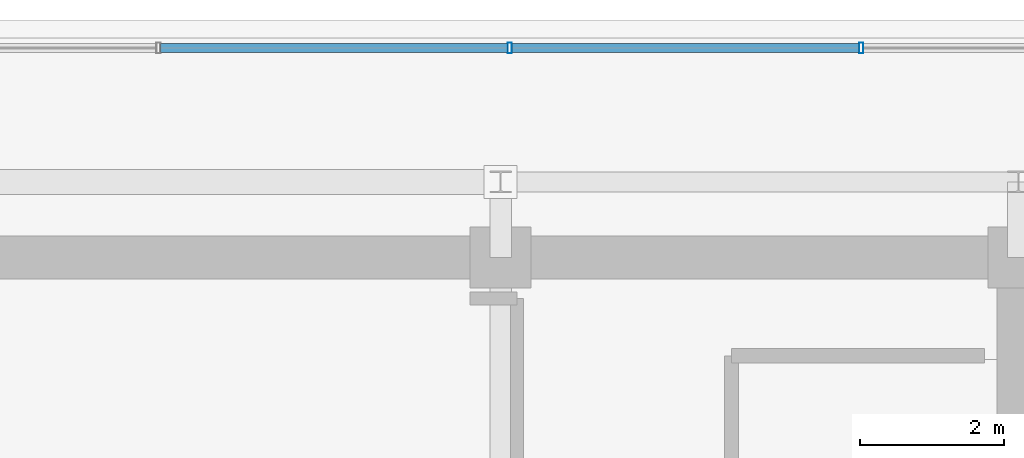
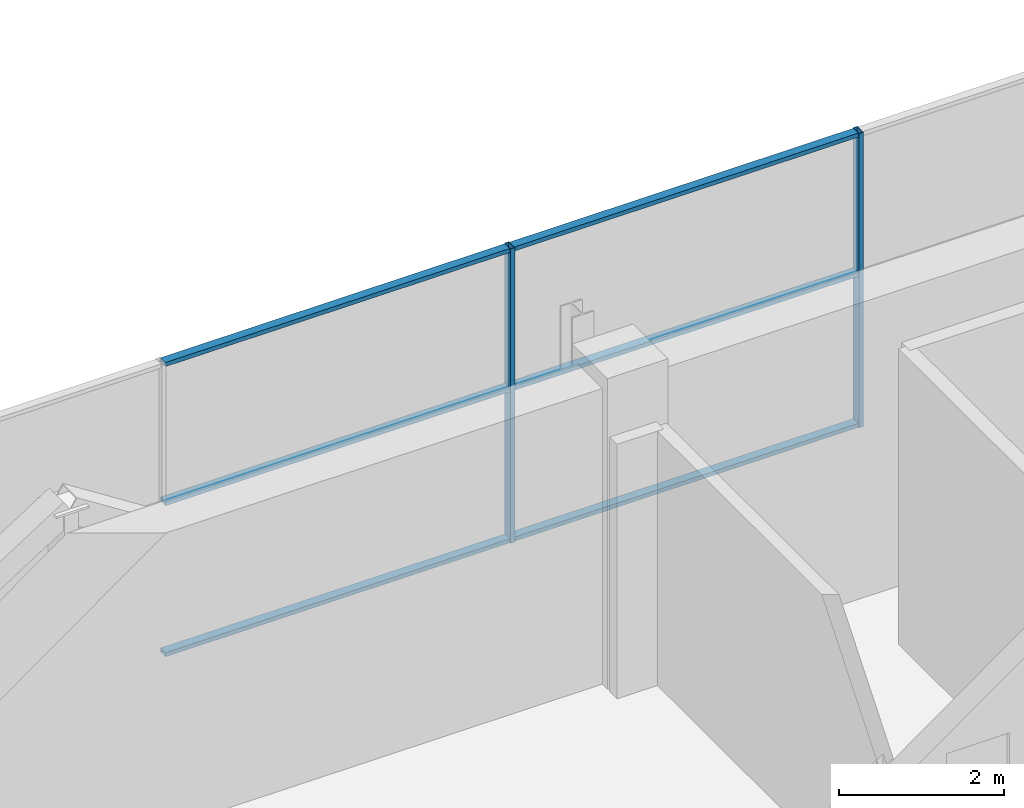
# One storey, part 21 of 28: 8 members, 1 element without a shape of its own.
"""IFC4 building model written with IfcOpenShell, lengths in metres."""

from ifc_helpers import new_model, si_unit, direction, frame, origin, origin_2d, place, context, subcontext, project, spatial, hollow_rectangle, extrude, source, transform, mapped, material, layer, layer_set, material_profile, profile_set, type_object, element, aggregate, save


model = new_model("IFC4")

# Units and contexts
model_context = context("Model", 3, precision=1e-05, world=origin(), true_north=direction((0.0, 1.0)))
body_context = subcontext(model_context, "Body", "Model", "MODEL_VIEW")
ifc_project = project(units=[si_unit("LENGTHUNIT", "METRE"), si_unit("AREAUNIT", "SQUARE_METRE"), si_unit("VOLUMEUNIT", "CUBIC_METRE"), si_unit("PLANEANGLEUNIT", "RADIAN"), si_unit("MASSUNIT", "GRAM", prefix="KILO")], contexts=[model_context])

# Site, building, storey
site_placement = place(None, origin())
site = spatial("IfcSite", under=ifc_project, at=site_placement, CompositionType="ELEMENT")
building_placement = place(site_placement, origin())
building = spatial("IfcBuilding", under=site, at=building_placement, Name="Zarnakvel Exchange Tower", CompositionType="ELEMENT")
storey_placement = place(building_placement, frame((0.0, 0.0, 276.199951171875)))
storey = spatial("IfcBuildingStorey", under=building, at=storey_placement, Name="Crown L78", CompositionType="ELEMENT", Elevation=276.199951171875)

# Curtain wall, members
ifc_material = material(Name="Architectural Bronze Anodised Aluminium", Category="aluminium")
ifc_layer = layer(ifc_material, 0.14990234375)
ifc_layer_set = layer_set([ifc_layer], Name="Architectural Bronze Anodised Aluminium")
curtain_wall_type = type_object("IfcCurtainWallType", Name="CW-07", PredefinedType="NOTDEFINED", material=ifc_layer_set)
curtain_wall_placement = place(storey_placement, origin())
curtain_wall = element("IfcCurtainWall", 1, at=curtain_wall_placement, inside=storey, type_object=curtain_wall_type, Name="Crown L78 Curtain Wall CW-Crown L78-N (CW-07)", PredefinedType="NOTDEFINED")
ifc_material_profile_1 = material_profile(ifc_material, hollow_rectangle(XDim=0.14990234375, YDim=0.06005859375, WallThickness=0.00390625, at=origin_2d()))
ifc_profile_set_1 = profile_set([ifc_material_profile_1], Name="Architectural Bronze Anodised Aluminium")
member_type_1 = type_object("IfcMemberType", Name="CWM-07", PredefinedType="MULLION", material=ifc_profile_set_1)
shared_shape_1 = source(origin(), body_context, "Body", "SweptSolid", [
    extrude(hollow_rectangle(XDim=0.14990234375, YDim=0.06005859375, WallThickness=0.00390625, at=origin_2d()), origin(), (0.0, 0.0, 1.0), 4.360107421875),
])
member_1_placement = place(storey_placement, frame((7.32861328125, 16.409912109375, 0.0), z_axis=(0.0, 0.0, 1.0), x_axis=(0.0, 1.0, 0.0)))
member_1 = element("IfcMember", 2, at=member_1_placement, type_object=member_type_1, Name="CW-07 mullion 6", PredefinedType="MULLION", context=body_context, shape_type="MappedRepresentation", body=[
    mapped(shared_shape_1, transform((0.0, 0.0, 0.0), x_axis=(1.0, 0.0, 0.0), y_axis=(0.0, 1.0, 0.0), z_axis=(0.0, 0.0, 1.0), scale=1.0)),
])
member_2_placement = place(storey_placement, frame((12.21435546875, 16.409912109375, 0.0), z_axis=(0.0, 0.0, 1.0), x_axis=(0.0, 1.0, 0.0)))
member_2 = element("IfcMember", 3, at=member_2_placement, type_object=member_type_1, Name="CW-07 mullion 7", PredefinedType="MULLION", context=body_context, shape_type="MappedRepresentation", body=[
    mapped(shared_shape_1, transform((0.0, 0.0, 0.0), x_axis=(1.0, 0.0, 0.0), y_axis=(0.0, 1.0, 0.0), z_axis=(0.0, 0.0, 1.0), scale=1.0)),
])
ifc_material_profile_2 = material_profile(ifc_material, hollow_rectangle(XDim=0.1201171875, YDim=0.06005859375, WallThickness=0.00390625, at=origin_2d()))
ifc_profile_set_2 = profile_set([ifc_material_profile_2], Name="Architectural Bronze Anodised Aluminium")
member_type_2 = type_object("IfcMemberType", Name="CWT-07", PredefinedType="USERDEFINED", material=ifc_profile_set_2)
shared_shape_2 = source(origin(), body_context, "Body", "SweptSolid", [
    extrude(hollow_rectangle(XDim=0.1201171875, YDim=0.06005859375, WallThickness=0.00390625, at=origin_2d()), origin(), (0.0, 0.0, 1.0), 4.82568359375),
])
member_3_placement = place(storey_placement, frame((2.472900390625, 16.409912109375, 0.030029296875), z_axis=(1.0, 0.0, 0.0), x_axis=(0.0, 1.0, 0.0)))
member_3 = element("IfcMember", 4, at=member_3_placement, type_object=member_type_2, Name="CW-07 transom 5.1", ObjectType="TRANSOM", PredefinedType="USERDEFINED", context=body_context, shape_type="MappedRepresentation", body=[
    mapped(shared_shape_2, transform((0.0, 0.0, 0.0), x_axis=(1.0, 0.0, 0.0), y_axis=(0.0, 1.0, 0.0), z_axis=(0.0, 0.0, 1.0), scale=1.0)),
])
member_4_placement = place(storey_placement, frame((2.472900390625, 16.409912109375, 2.267333984375), z_axis=(1.0, 0.0, 0.0), x_axis=(0.0, 1.0, 0.0)))
member_4 = element("IfcMember", 5, at=member_4_placement, type_object=member_type_2, Name="CW-07 transom 5.2", ObjectType="TRANSOM", PredefinedType="USERDEFINED", context=body_context, shape_type="MappedRepresentation", body=[
    mapped(shared_shape_2, transform((0.0, 0.0, 0.0), x_axis=(1.0, 0.0, 0.0), y_axis=(0.0, 1.0, 0.0), z_axis=(0.0, 0.0, 1.0), scale=1.0)),
])
member_5_placement = place(storey_placement, frame((2.472900390625, 16.409912109375, 4.330078125), z_axis=(1.0, 0.0, 0.0), x_axis=(0.0, 1.0, 0.0)))
member_5 = element("IfcMember", 6, at=member_5_placement, type_object=member_type_2, Name="CW-07 transom 5.3", ObjectType="TRANSOM", PredefinedType="USERDEFINED", context=body_context, shape_type="MappedRepresentation", body=[
    mapped(shared_shape_2, transform((0.0, 0.0, 0.0), x_axis=(1.0, 0.0, 0.0), y_axis=(0.0, 1.0, 0.0), z_axis=(0.0, 0.0, 1.0), scale=1.0)),
])
member_6_placement = place(storey_placement, frame((7.358642578125, 16.409912109375, 0.030029296875), z_axis=(1.0, 0.0, 0.0), x_axis=(0.0, 1.0, 0.0)))
member_6 = element("IfcMember", 7, at=member_6_placement, type_object=member_type_2, Name="CW-07 transom 6.1", ObjectType="TRANSOM", PredefinedType="USERDEFINED", context=body_context, shape_type="MappedRepresentation", body=[
    mapped(shared_shape_2, transform((0.0, 0.0, 0.0), x_axis=(1.0, 0.0, 0.0), y_axis=(0.0, 1.0, 0.0), z_axis=(0.0, 0.0, 1.0), scale=1.0)),
])
member_7_placement = place(storey_placement, frame((7.358642578125, 16.409912109375, 2.267333984375), z_axis=(1.0, 0.0, 0.0), x_axis=(0.0, 1.0, 0.0)))
member_7 = element("IfcMember", 8, at=member_7_placement, type_object=member_type_2, Name="CW-07 transom 6.2", ObjectType="TRANSOM", PredefinedType="USERDEFINED", context=body_context, shape_type="MappedRepresentation", body=[
    mapped(shared_shape_2, transform((0.0, 0.0, 0.0), x_axis=(1.0, 0.0, 0.0), y_axis=(0.0, 1.0, 0.0), z_axis=(0.0, 0.0, 1.0), scale=1.0)),
])
member_8_placement = place(storey_placement, frame((7.358642578125, 16.409912109375, 4.330078125), z_axis=(1.0, 0.0, 0.0), x_axis=(0.0, 1.0, 0.0)))
member_8 = element("IfcMember", 9, at=member_8_placement, type_object=member_type_2, Name="CW-07 transom 6.3", ObjectType="TRANSOM", PredefinedType="USERDEFINED", context=body_context, shape_type="MappedRepresentation", body=[
    mapped(shared_shape_2, transform((0.0, 0.0, 0.0), x_axis=(1.0, 0.0, 0.0), y_axis=(0.0, 1.0, 0.0), z_axis=(0.0, 0.0, 1.0), scale=1.0)),
])
aggregate(curtain_wall, [member_1, member_2, member_3, member_4, member_5, member_6, member_7, member_8])

save(model, "model.ifc")
